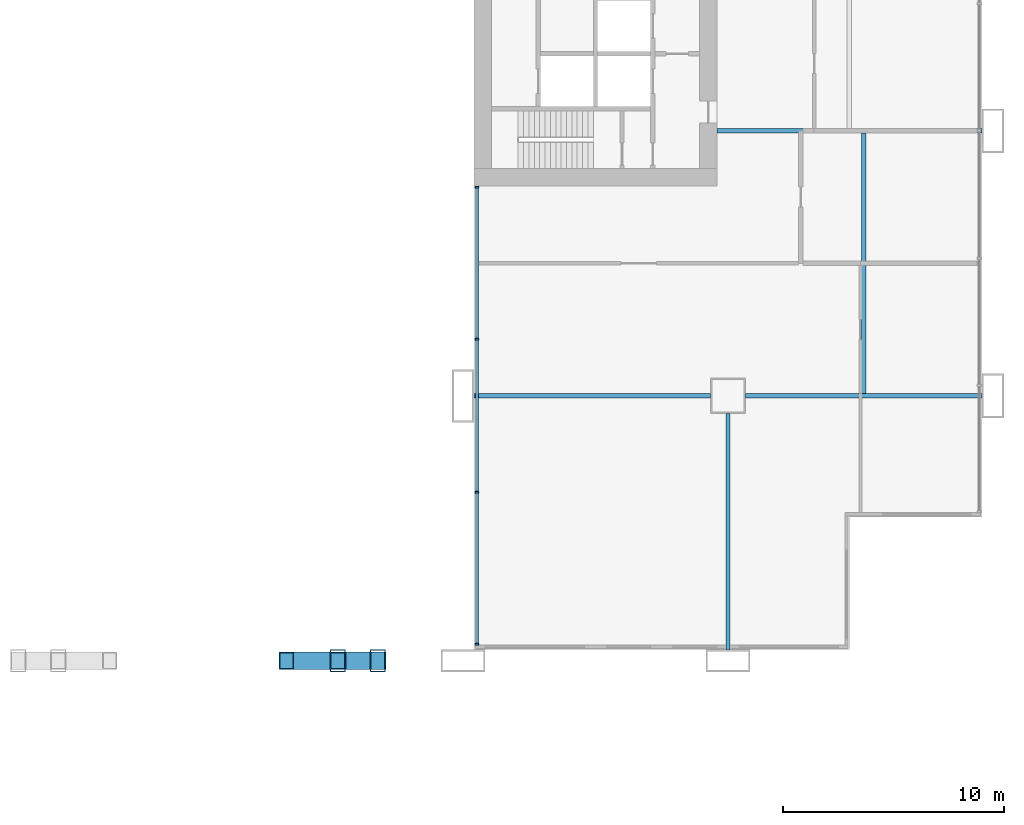
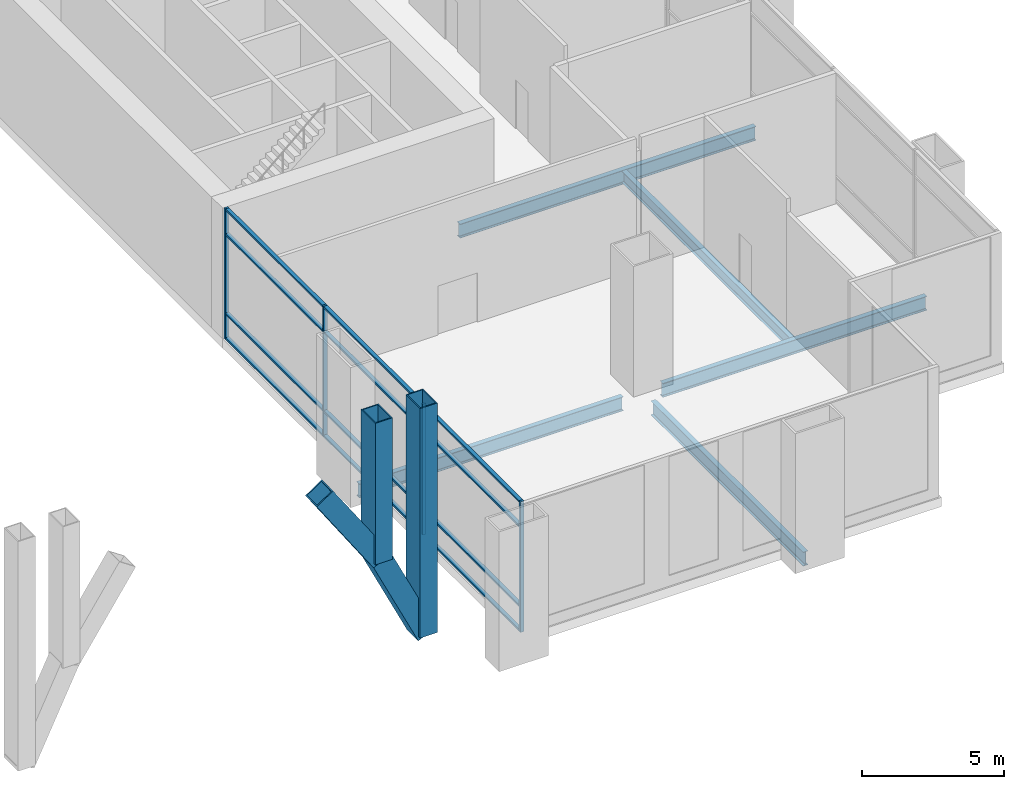
# One storey, part 10 of 25: 20 members, 5 beams, 1 element without a shape of its own.
"""IFC4 building model written with IfcOpenShell, lengths in metres."""

import ifcopenshell
import ifcopenshell.guid

model = None  # the IFC model being written
_history = None  # IfcOwnerHistory: only IFC2X3 demands one
_inside = {}  # id of a spatial element -> (the spatial element, [elements in it])
_under = {}  # id of a project, library or spatial element -> (it, [spatial elements below it])
_declared = {}  # id of a project -> (the project, [libraries it declares])
_typed = {}  # id of a type object -> (the type object, [elements of that type])
_made_of = {}  # id of a material, layer set ... -> (it, [elements and type objects made of it])


def new_model(schema):
    """Start an empty IFC model of exactly this schema.

    Asked for "IFC4X3", IfcOpenShell would pick the latest addendum, in which some entities
    have other attributes; the version numbers below select the first issue.
    IFC2X3 requires an IfcOwnerHistory on every rooted entity: one is made here for all.
    """
    global model, _history
    if schema == "IFC4X3":
        model = ifcopenshell.file(schema_version=(4, 3, 0, 0))
    else:
        model = ifcopenshell.file(schema=schema)
    _inside.clear()
    _under.clear()
    _declared.clear()
    _typed.clear()
    _made_of.clear()
    _history = None
    if model.schema == "IFC2X3":
        org = make("IfcOrganization", Name="unknown")
        user = make(
            "IfcPersonAndOrganization",
            ThePerson=make("IfcPerson", FamilyName="unknown"),
            TheOrganization=org,
        )
        app = make(
            "IfcApplication",
            ApplicationDeveloper=org,
            Version="unknown",
            ApplicationFullName="unknown",
            ApplicationIdentifier="unknown",
        )
        _history = make(
            "IfcOwnerHistory",
            OwningUser=user,
            OwningApplication=app,
            ChangeAction="ADDED",
            CreationDate=0,
        )
    return model


def make(cls, **values):
    """One entity of the class cls with the attributes given. An attribute that is None is left unset."""
    return model.create_entity(
        cls, **{name: value for name, value in values.items() if value is not None}
    )


def rooted(cls, **values):
    """An entity with a GlobalId (a new one), such as an element, a storey or a relation."""
    return make(cls, GlobalId=ifcopenshell.guid.new(), OwnerHistory=_history, **values)


def si_unit(unit_type, name, prefix=None):
    """IfcSIUnit, for example si_unit("LENGTHUNIT", "METRE", prefix="MILLI")."""
    return make("IfcSIUnit", UnitType=unit_type, Prefix=prefix, Name=name)


def assignment(units):
    """IfcUnitAssignment: the units of a project."""
    return None if units is None else make("IfcUnitAssignment", Units=units)


def point(xyz):
    """IfcCartesianPoint."""
    return None if xyz is None else make("IfcCartesianPoint", Coordinates=xyz)


def direction(xyz):
    """IfcDirection."""
    return None if xyz is None else make("IfcDirection", DirectionRatios=xyz)


def frame(location, z_axis=None, x_axis=None):
    """IfcAxis2Placement3D, a coordinate frame: its origin and axes. An axis left out is left unset."""
    return make(
        "IfcAxis2Placement3D",
        Location=point(location),
        Axis=direction(z_axis),
        RefDirection=direction(x_axis),
    )


def frame_2d(location, x_axis=None):
    """IfcAxis2Placement2D, a coordinate frame in the plane: its origin and x axis."""
    return make(
        "IfcAxis2Placement2D", Location=point(location), RefDirection=direction(x_axis)
    )


def origin():
    """The frame at (0, 0, 0) with its axes left unset."""
    return frame((0.0, 0.0, 0.0))


def origin_2d():
    """The frame at (0, 0) in the plane with its x axis left unset."""
    return frame_2d((0.0, 0.0))


def place(relative_to, where):
    """IfcLocalPlacement: puts the frame where relative to a parent placement (None: the world)."""
    return make(
        "IfcLocalPlacement", PlacementRelTo=relative_to, RelativePlacement=where
    )


def context(
    kind, dimensions, precision=None, world=None, true_north=None, identifier=None
):
    """IfcGeometricRepresentationContext, for example the 3D "Model" context."""
    return make(
        "IfcGeometricRepresentationContext",
        ContextIdentifier=identifier,
        ContextType=kind,
        CoordinateSpaceDimension=dimensions,
        Precision=precision,
        WorldCoordinateSystem=world,
        TrueNorth=true_north,
    )


def subcontext(parent, identifier, kind, view, scale=None):
    """IfcGeometricRepresentationSubContext, for example "Body" below "Model"."""
    return make(
        "IfcGeometricRepresentationSubContext",
        ContextIdentifier=identifier,
        ContextType=kind,
        ParentContext=parent,
        TargetScale=scale,
        TargetView=view,
    )


def project(units=None, contexts=None):
    """IfcProject with its units and contexts."""
    return rooted(
        "IfcProject",
        Name="project",
        RepresentationContexts=contexts,
        UnitsInContext=assignment(units),
    )


def spatial(cls, under=None, at=None, **own):
    """A site, building, storey or space (cls), placed at a placement, below another one or the project."""
    s = rooted(cls, ObjectPlacement=at, **own)
    if under is not None:
        _under.setdefault(under.id(), (under, []))[1].append(s)
    return s


def profile(cls, at=None, kind="AREA", **sizes):
    """A parametric profile (cls). Its sizes go by their IFC names, for example OverallWidth=200.0."""
    return make(cls, ProfileType=kind, Position=at, **sizes)


def rectangle(**sizes):
    """IfcRectangleProfileDef."""
    return profile("IfcRectangleProfileDef", **sizes)


def hollow_rectangle(**sizes):
    """IfcRectangleHollowProfileDef."""
    return profile("IfcRectangleHollowProfileDef", **sizes)


def i_section(**sizes):
    """IfcIShapeProfileDef."""
    return profile("IfcIShapeProfileDef", **sizes)


def extrude(swept, where, along, depth):
    """IfcExtrudedAreaSolid: the profile swept, set in the frame where, extruded along a direction by depth."""
    return make(
        "IfcExtrudedAreaSolid",
        SweptArea=swept,
        Position=where,
        ExtrudedDirection=direction(along),
        Depth=depth,
    )


def shape(context_of_items, identifier, shape_type, items):
    """IfcShapeRepresentation: the items that make up one representation, for example the "Body"."""
    return make(
        "IfcShapeRepresentation",
        ContextOfItems=context_of_items,
        RepresentationIdentifier=identifier,
        RepresentationType=shape_type,
        Items=items,
    )


def material(Name=None, Category=None):
    """IfcMaterial."""
    return make("IfcMaterial", Name=Name, Category=Category)


def material_profile(
    of_material, cross_section, Name=None, Category=None, Priority=None
):
    """IfcMaterialProfile: a cross section and its material."""
    return make(
        "IfcMaterialProfile",
        Name=Name,
        Material=of_material,
        Profile=cross_section,
        Priority=Priority,
        Category=Category,
    )


def profile_set(profiles, Name=None, composite=None):
    """IfcMaterialProfileSet."""
    return make(
        "IfcMaterialProfileSet",
        Name=Name,
        MaterialProfiles=profiles,
        CompositeProfile=composite,
    )


def made_of(thing, what):
    """Note that an element or type object is made of a material, layer set ...; save() writes the relation."""
    if what is not None:
        _made_of.setdefault(what.id(), (what, []))[1].append(thing)
    return thing


def type_object(cls, material=None, **own):
    """A type object (cls), such as IfcWallType, which elements share."""
    return made_of(rooted(cls, **own), material)


def element(
    cls,
    number,
    at=None,
    inside=None,
    cuts=None,
    type_object=None,
    material=None,
    context=None,
    identifier="Body",
    shape_type=None,
    held_by="IfcProductDefinitionShape",
    body=None,
    shapes=None,
    **own,
):
    """One element of the class cls, such as IfcWall. Its Tag is "e" and its number.

    at: its placement. inside: the storey or other place that contains it. cuts: it is an
    opening in that element (IfcRelVoidsElement). A single representation is given by context,
    identifier, shape_type and body (its items); several are given by shapes. held_by: the class
    of the entity that holds the representations. save() writes the other relations.
    """
    e = rooted(cls, Tag="e%d" % number, ObjectPlacement=at, **own)
    if body is not None:
        shapes = [shape(context, identifier, shape_type, body)]
    if shapes is not None:
        e.Representation = make(held_by, Representations=shapes)
    if inside is not None:
        _inside.setdefault(inside.id(), (inside, []))[1].append(e)
    if cuts is not None:
        rooted(
            "IfcRelVoidsElement", RelatingBuildingElement=cuts, RelatedOpeningElement=e
        )
    if type_object is not None:
        _typed.setdefault(type_object.id(), (type_object, []))[1].append(e)
    return made_of(e, material)


def aggregate(whole, parts):
    """IfcRelAggregates: a whole, such as a stair, and the parts it consists of."""
    return rooted("IfcRelAggregates", RelatingObject=whole, RelatedObjects=parts)


def save(model, path):
    """Write the relations noted so far, then the file.

    IfcRelAggregates (storeys below a building ...), IfcRelContainedInSpatialStructure (elements
    in a storey), IfcRelDefinesByType, IfcRelAssociatesMaterial and IfcRelDeclares: one each for
    every whole, place, type object, material and project.
    """
    for whole, parts in _under.values():
        aggregate(whole, parts)
    for where, things in _inside.values():
        rooted(
            "IfcRelContainedInSpatialStructure",
            RelatedElements=things,
            RelatingStructure=where,
        )
    for kind, things in _typed.values():
        rooted("IfcRelDefinesByType", RelatedObjects=things, RelatingType=kind)
    for what, things in _made_of.values():
        rooted("IfcRelAssociatesMaterial", RelatedObjects=things, RelatingMaterial=what)
    for by, libraries in _declared.values():
        rooted("IfcRelDeclares", RelatingContext=by, RelatedDefinitions=libraries)
    model.write(path)


model = new_model("IFC4")

# Units and contexts
model_context = context("Model", 3, precision=1e-05, world=origin(), true_north=direction((0.0, 1.0)))
body_context = subcontext(model_context, "Body", "Model", "MODEL_VIEW")
ifc_project = project(units=[si_unit("LENGTHUNIT", "METRE"), si_unit("AREAUNIT", "SQUARE_METRE"), si_unit("VOLUMEUNIT", "CUBIC_METRE"), si_unit("PLANEANGLEUNIT", "RADIAN"), si_unit("MASSUNIT", "GRAM", prefix="KILO")], contexts=[model_context])

# Site, building, storey
site_placement = place(None, origin())
site = spatial("IfcSite", under=ifc_project, at=site_placement, CompositionType="ELEMENT")
building_placement = place(site_placement, origin())
building = spatial("IfcBuilding", under=site, at=building_placement, Name="Kitamizu Gate Tower and Museum", CompositionType="ELEMENT")
storey_placement = place(building_placement, frame((0.0, 0.0, 12.0)))
storey = spatial("IfcBuildingStorey", under=building, at=storey_placement, Name="L02", CompositionType="ELEMENT", Elevation=12.0)

# Members
ifc_material_1 = material(Name="Steel SM490A bronze coated", Category="steel")
ifc_material_profile_1 = material_profile(ifc_material_1, hollow_rectangle(XDim=0.800048828125, YDim=0.800048828125, WallThickness=0.050048828125, at=origin_2d()), Name="BOX 800x800x50")
ifc_profile_set_1 = profile_set([ifc_material_profile_1], Name="Steel SM490A bronze coated")
member_type_1 = type_object("IfcMemberType", Name="Arch rib AR1 BOX 800x800x50", PredefinedType="USERDEFINED", material=ifc_profile_set_1)
member_1_placement = place(storey_placement, frame((44.14404296875, 0.0, 2.165771484375), z_axis=(-0.433123898235, 0.0, 0.901334393429), x_axis=(0.0, -1.0, 0.0)))
element("IfcMember", 1, at=member_1_placement, inside=storey, type_object=member_type_1, Name="Arch rib SE-3", ObjectType="ARCH RIB", PredefinedType="USERDEFINED", context=body_context, shape_type="SweptSolid", body=[
    extrude(hollow_rectangle(XDim=0.800048828125, YDim=0.800048828125, WallThickness=0.050048828125, at=origin_2d()), origin(), (0.0, 0.0, 1.0), 4.181884765625),
])
member_2_placement = place(storey_placement, frame((42.332763671875, 0.0, 5.93505859375), z_axis=(-0.558484664195, 0.0, 0.829514846075), x_axis=(0.0, -1.0, 0.0)))
element("IfcMember", 2, at=member_2_placement, inside=storey, type_object=member_type_1, Name="Arch rib SE-4", ObjectType="ARCH RIB", PredefinedType="USERDEFINED", context=body_context, shape_type="SweptSolid", body=[
    extrude(hollow_rectangle(XDim=0.800048828125, YDim=0.800048828125, WallThickness=0.050048828125, at=origin_2d()), origin(), (0.0, 0.0, 1.0), 4.177001953125),
])
ifc_material_2 = material(Name="Steel SM490A bronze coated", Category="steel")
ifc_material_profile_2 = material_profile(ifc_material_2, hollow_rectangle(XDim=0.699951171875, YDim=1.0, WallThickness=0.044921875, at=origin_2d()), Name="BOX 700x1000x45")
ifc_profile_set_2 = profile_set([ifc_material_profile_2], Name="Steel SM490A bronze coated")
member_type_2 = type_object("IfcMemberType", Name="Arch rib tie post AP2 BOX 700x1000x45", PredefinedType="USERDEFINED", material=ifc_profile_set_2)
member_3_placement = place(storey_placement, frame((44.14404296875, 0.0, 2.165771484375), z_axis=(0.0, 0.0, 1.0), x_axis=(1.0, 0.0, 0.0)))
element("IfcMember", 3, at=member_3_placement, inside=storey, type_object=member_type_2, Name="Arch rib tie post SE-2", ObjectType="ARCH POST", PredefinedType="USERDEFINED", context=body_context, shape_type="SweptSolid", body=[
    extrude(hollow_rectangle(XDim=0.699951171875, YDim=1.0, WallThickness=0.044921875, at=origin_2d()), origin(), (0.0, 0.0, 1.0), 9.834228515625),
])
member_4_placement = place(storey_placement, frame((42.332763671875, 0.0, 5.93505859375), z_axis=(0.0, 0.0, 1.0), x_axis=(1.0, 0.0, 0.0)))
element("IfcMember", 4, at=member_4_placement, inside=storey, type_object=member_type_2, Name="Arch rib tie post SE-3", ObjectType="ARCH POST", PredefinedType="USERDEFINED", context=body_context, shape_type="SweptSolid", body=[
    extrude(hollow_rectangle(XDim=0.699951171875, YDim=1.0, WallThickness=0.044921875, at=origin_2d()), origin(), (0.0, 0.0, 1.0), 6.06494140625),
])

# Beams
ifc_material_3 = material(Name="Steel SM490A", Category="steel")
ifc_material_profile_3 = material_profile(ifc_material_3, i_section(OverallWidth=0.199951171875, OverallDepth=0.5, WebThickness=0.010009765625, FlangeThickness=0.01611328125, FilletRadius=0.02001953125, at=origin_2d()), Name="H-500x200x10x16")
ifc_profile_set_3 = profile_set([ifc_material_profile_3], Name="Steel SM490A")
beam_type_1 = type_object("IfcBeamType", Name="Floor beam FB1 H 500x200x10x16", PredefinedType="BEAM", material=ifc_profile_set_3)
beam_1_placement = place(storey_placement, frame((66.14990234375, 12.10009765625, -0.64990234375), z_axis=(0.0, 1.0, 0.0), x_axis=(-1.0, 0.0, 0.0)))
element("IfcBeam", 5, at=beam_1_placement, inside=storey, type_object=beam_type_1, Name="Floor beam FB1 L02-2", PredefinedType="BEAM", context=body_context, shape_type="SweptSolid", body=[
    extrude(i_section(OverallWidth=0.199951171875, OverallDepth=0.5, WebThickness=0.010009765625, FlangeThickness=0.01611328125, FilletRadius=0.02001953125, at=origin_2d()), origin(), (0.0, 0.0, 1.0), 11.7998046875),
])
ifc_material_4 = material(Name="Steel SM490A", Category="steel")
ifc_material_profile_4 = material_profile(ifc_material_4, i_section(OverallWidth=0.199951171875, OverallDepth=0.60009765625, WebThickness=0.010986328125, FlangeThickness=0.01708984375, FilletRadius=0.02197265625, at=origin_2d()), Name="H-600x200x11x17")
ifc_profile_set_4 = profile_set([ifc_material_profile_4], Name="Steel SM490A")
beam_type_2 = type_object("IfcBeamType", Name="Floor girder FG1 H 600x200x11x17", PredefinedType="BEAM", material=ifc_profile_set_4)
for number, where, z_axis, x_axis, name in (
    (6, (60.0, 0.5, -0.699951171875), (0.0, 1.0, 0.0), (-1.0, 0.0, 0.0), "Floor girder FG1 x60 L02"),
    (7, (48.5, 12.0, -0.699951171875), (1.0, 0.0, 0.0), (0.0, 1.0, 0.0), "Floor girder FG1 y12 L02"),
    (8, (60.800048828125, 12.0, -0.699951171875), (1.0, 0.0, 0.0), (0.0, 1.0, 0.0), "Floor girder FG1 y12 L02"),
):
    element("IfcBeam", number, at=place(storey_placement, frame(where, z_axis=z_axis, x_axis=x_axis)), inside=storey, type_object=beam_type_2, Name=name, PredefinedType="BEAM", context=body_context, shape_type="SweptSolid", body=[
        extrude(i_section(OverallWidth=0.199951171875, OverallDepth=0.60009765625, WebThickness=0.010986328125, FlangeThickness=0.01708984375, FilletRadius=0.02197265625, at=origin_2d()), origin(), (0.0, 0.0, 1.0), 10.699951171875),
    ])
beam_2_placement = place(storey_placement, frame((59.5, 24.0, -0.699951171875), z_axis=(1.0, 0.0, 0.0), x_axis=(0.0, 1.0, 0.0)))
element("IfcBeam", 9, at=beam_2_placement, inside=storey, type_object=beam_type_2, Name="Floor girder FG1 y24 L02", PredefinedType="BEAM", context=body_context, shape_type="SweptSolid", body=[
    extrude(i_section(OverallWidth=0.199951171875, OverallDepth=0.60009765625, WebThickness=0.010986328125, FlangeThickness=0.01708984375, FilletRadius=0.02197265625, at=origin_2d()), origin(), (0.0, 0.0, 1.0), 12.0),
])

# Curtain wall, members
ifc_material_5 = material(Name="Bronze anodised aluminium frame, tinted triple glazing", Category="aluminium")
curtain_wall_type = type_object("IfcCurtainWallType", Name="CURTAIN WALL TYPE A PODIUM", PredefinedType="NOTDEFINED", material=ifc_material_5)
curtain_wall_placement = place(storey_placement, origin())
curtain_wall = element("IfcCurtainWall", 10, at=curtain_wall_placement, inside=storey, type_object=curtain_wall_type, Name="Curtain wall CW-A west L02", PredefinedType="NOTDEFINED")
ifc_material_6 = material(Name="Bronze anodised aluminium", Category="aluminium")
ifc_material_profile_5 = material_profile(ifc_material_6, rectangle(XDim=0.090087890625, YDim=0.14990234375, at=origin_2d()), Name="AL 90X150")
ifc_profile_set_5 = profile_set([ifc_material_profile_5], Name="Bronze anodised aluminium")
member_type_3 = type_object("IfcMemberType", Name="MULLION 90 X 150 TYPE A", PredefinedType="MULLION", material=ifc_profile_set_5)
member_5_placement = place(storey_placement, frame((48.635009765625, 0.7548828125, 0.0), z_axis=(0.0, 0.0, 1.0), x_axis=(0.0, 1.0, 0.0)))
member_5 = element("IfcMember", 11, at=member_5_placement, type_object=member_type_3, Name="CW-A mullion 1", PredefinedType="MULLION", context=body_context, shape_type="SweptSolid", body=[
    extrude(rectangle(XDim=0.090087890625, YDim=0.14990234375, at=origin_2d()), origin(), (0.0, 0.0, 1.0), 5.60009765625),
])
member_6_placement = place(storey_placement, frame((48.635009765625, 7.639892578125, 0.0), z_axis=(0.0, 0.0, 1.0), x_axis=(0.0, 1.0, 0.0)))
member_6 = element("IfcMember", 12, at=member_6_placement, type_object=member_type_3, Name="CW-A mullion 2", PredefinedType="MULLION", context=body_context, shape_type="SweptSolid", body=[
    extrude(rectangle(XDim=0.090087890625, YDim=0.14990234375, at=origin_2d()), origin(), (0.0, 0.0, 1.0), 5.60009765625),
])
member_7_placement = place(storey_placement, frame((48.635009765625, 14.570068359375, 0.0), z_axis=(0.0, 0.0, 1.0), x_axis=(0.0, 1.0, 0.0)))
member_7 = element("IfcMember", 13, at=member_7_placement, type_object=member_type_3, Name="CW-A mullion 3", PredefinedType="MULLION", context=body_context, shape_type="SweptSolid", body=[
    extrude(rectangle(XDim=0.090087890625, YDim=0.14990234375, at=origin_2d()), origin(), (0.0, 0.0, 1.0), 5.60009765625),
])
member_8_placement = place(storey_placement, frame((48.635009765625, 21.455078125, 0.0), z_axis=(0.0, 0.0, 1.0), x_axis=(0.0, 1.0, 0.0)))
member_8 = element("IfcMember", 14, at=member_8_placement, type_object=member_type_3, Name="CW-A mullion 4", PredefinedType="MULLION", context=body_context, shape_type="SweptSolid", body=[
    extrude(rectangle(XDim=0.090087890625, YDim=0.14990234375, at=origin_2d()), origin(), (0.0, 0.0, 1.0), 5.60009765625),
])
ifc_material_7 = material(Name="Bronze anodised aluminium", Category="aluminium")
ifc_material_profile_6 = material_profile(ifc_material_7, rectangle(XDim=0.14990234375, YDim=0.080078125, at=origin_2d()), Name="AL 80X150")
ifc_profile_set_6 = profile_set([ifc_material_profile_6], Name="Bronze anodised aluminium")
member_type_4 = type_object("IfcMemberType", Name="TRANSOM 80 X 150 TYPE A", PredefinedType="USERDEFINED", material=ifc_profile_set_6)
member_9_placement = place(storey_placement, frame((48.635009765625, 0.800048828125, 0.0400390625), z_axis=(0.0, 1.0, 0.0), x_axis=(-1.0, 0.0, 0.0)))
member_9 = element("IfcMember", 15, at=member_9_placement, type_object=member_type_4, Name="CW-A transom 1.1", ObjectType="TRANSOM", PredefinedType="USERDEFINED", context=body_context, shape_type="SweptSolid", body=[
    extrude(rectangle(XDim=0.14990234375, YDim=0.080078125, at=origin_2d()), origin(), (0.0, 0.0, 1.0), 6.794921875),
])
member_10_placement = place(storey_placement, frame((48.635009765625, 0.800048828125, 1.10009765625), z_axis=(0.0, 1.0, 0.0), x_axis=(-1.0, 0.0, 0.0)))
member_10 = element("IfcMember", 16, at=member_10_placement, type_object=member_type_4, Name="CW-A transom 1.2", ObjectType="TRANSOM", PredefinedType="USERDEFINED", context=body_context, shape_type="SweptSolid", body=[
    extrude(rectangle(XDim=0.14990234375, YDim=0.080078125, at=origin_2d()), origin(), (0.0, 0.0, 1.0), 6.794921875),
])
member_11_placement = place(storey_placement, frame((48.635009765625, 0.800048828125, 4.5), z_axis=(0.0, 1.0, 0.0), x_axis=(-1.0, 0.0, 0.0)))
member_11 = element("IfcMember", 17, at=member_11_placement, type_object=member_type_4, Name="CW-A transom 1.3", ObjectType="TRANSOM", PredefinedType="USERDEFINED", context=body_context, shape_type="SweptSolid", body=[
    extrude(rectangle(XDim=0.14990234375, YDim=0.080078125, at=origin_2d()), origin(), (0.0, 0.0, 1.0), 6.794921875),
])
member_12_placement = place(storey_placement, frame((48.635009765625, 0.800048828125, 5.56005859375), z_axis=(0.0, 1.0, 0.0), x_axis=(-1.0, 0.0, 0.0)))
member_12 = element("IfcMember", 18, at=member_12_placement, type_object=member_type_4, Name="CW-A transom 1.4", ObjectType="TRANSOM", PredefinedType="USERDEFINED", context=body_context, shape_type="SweptSolid", body=[
    extrude(rectangle(XDim=0.14990234375, YDim=0.080078125, at=origin_2d()), origin(), (0.0, 0.0, 1.0), 6.794921875),
])
member_13_placement = place(storey_placement, frame((48.635009765625, 7.68505859375, 0.0400390625), z_axis=(0.0, 1.0, 0.0), x_axis=(-1.0, 0.0, 0.0)))
member_13 = element("IfcMember", 19, at=member_13_placement, type_object=member_type_4, Name="CW-A transom 2.1", ObjectType="TRANSOM", PredefinedType="USERDEFINED", context=body_context, shape_type="SweptSolid", body=[
    extrude(rectangle(XDim=0.14990234375, YDim=0.080078125, at=origin_2d()), origin(), (0.0, 0.0, 1.0), 6.83984375),
])
member_14_placement = place(storey_placement, frame((48.635009765625, 7.68505859375, 1.10009765625), z_axis=(0.0, 1.0, 0.0), x_axis=(-1.0, 0.0, 0.0)))
member_14 = element("IfcMember", 20, at=member_14_placement, type_object=member_type_4, Name="CW-A transom 2.2", ObjectType="TRANSOM", PredefinedType="USERDEFINED", context=body_context, shape_type="SweptSolid", body=[
    extrude(rectangle(XDim=0.14990234375, YDim=0.080078125, at=origin_2d()), origin(), (0.0, 0.0, 1.0), 6.83984375),
])
member_15_placement = place(storey_placement, frame((48.635009765625, 7.68505859375, 4.5), z_axis=(0.0, 1.0, 0.0), x_axis=(-1.0, 0.0, 0.0)))
member_15 = element("IfcMember", 21, at=member_15_placement, type_object=member_type_4, Name="CW-A transom 2.3", ObjectType="TRANSOM", PredefinedType="USERDEFINED", context=body_context, shape_type="SweptSolid", body=[
    extrude(rectangle(XDim=0.14990234375, YDim=0.080078125, at=origin_2d()), origin(), (0.0, 0.0, 1.0), 6.83984375),
])
member_16_placement = place(storey_placement, frame((48.635009765625, 7.68505859375, 5.56005859375), z_axis=(0.0, 1.0, 0.0), x_axis=(-1.0, 0.0, 0.0)))
member_16 = element("IfcMember", 22, at=member_16_placement, type_object=member_type_4, Name="CW-A transom 2.4", ObjectType="TRANSOM", PredefinedType="USERDEFINED", context=body_context, shape_type="SweptSolid", body=[
    extrude(rectangle(XDim=0.14990234375, YDim=0.080078125, at=origin_2d()), origin(), (0.0, 0.0, 1.0), 6.83984375),
])
member_17_placement = place(storey_placement, frame((48.635009765625, 14.614990234375, 0.0400390625), z_axis=(0.0, 1.0, 0.0), x_axis=(-1.0, 0.0, 0.0)))
member_17 = element("IfcMember", 23, at=member_17_placement, type_object=member_type_4, Name="CW-A transom 3.1", ObjectType="TRANSOM", PredefinedType="USERDEFINED", context=body_context, shape_type="SweptSolid", body=[
    extrude(rectangle(XDim=0.14990234375, YDim=0.080078125, at=origin_2d()), origin(), (0.0, 0.0, 1.0), 6.794921875),
])
member_18_placement = place(storey_placement, frame((48.635009765625, 14.614990234375, 1.10009765625), z_axis=(0.0, 1.0, 0.0), x_axis=(-1.0, 0.0, 0.0)))
member_18 = element("IfcMember", 24, at=member_18_placement, type_object=member_type_4, Name="CW-A transom 3.2", ObjectType="TRANSOM", PredefinedType="USERDEFINED", context=body_context, shape_type="SweptSolid", body=[
    extrude(rectangle(XDim=0.14990234375, YDim=0.080078125, at=origin_2d()), origin(), (0.0, 0.0, 1.0), 6.794921875),
])
member_19_placement = place(storey_placement, frame((48.635009765625, 14.614990234375, 4.5), z_axis=(0.0, 1.0, 0.0), x_axis=(-1.0, 0.0, 0.0)))
member_19 = element("IfcMember", 25, at=member_19_placement, type_object=member_type_4, Name="CW-A transom 3.3", ObjectType="TRANSOM", PredefinedType="USERDEFINED", context=body_context, shape_type="SweptSolid", body=[
    extrude(rectangle(XDim=0.14990234375, YDim=0.080078125, at=origin_2d()), origin(), (0.0, 0.0, 1.0), 6.794921875),
])
member_20_placement = place(storey_placement, frame((48.635009765625, 14.614990234375, 5.56005859375), z_axis=(0.0, 1.0, 0.0), x_axis=(-1.0, 0.0, 0.0)))
member_20 = element("IfcMember", 26, at=member_20_placement, type_object=member_type_4, Name="CW-A transom 3.4", ObjectType="TRANSOM", PredefinedType="USERDEFINED", context=body_context, shape_type="SweptSolid", body=[
    extrude(rectangle(XDim=0.14990234375, YDim=0.080078125, at=origin_2d()), origin(), (0.0, 0.0, 1.0), 6.794921875),
])
aggregate(curtain_wall, [member_5, member_6, member_7, member_8, member_9, member_10, member_11, member_12, member_13, member_14, member_15, member_16, member_17, member_18, member_19, member_20])

save(model, "model.ifc")
